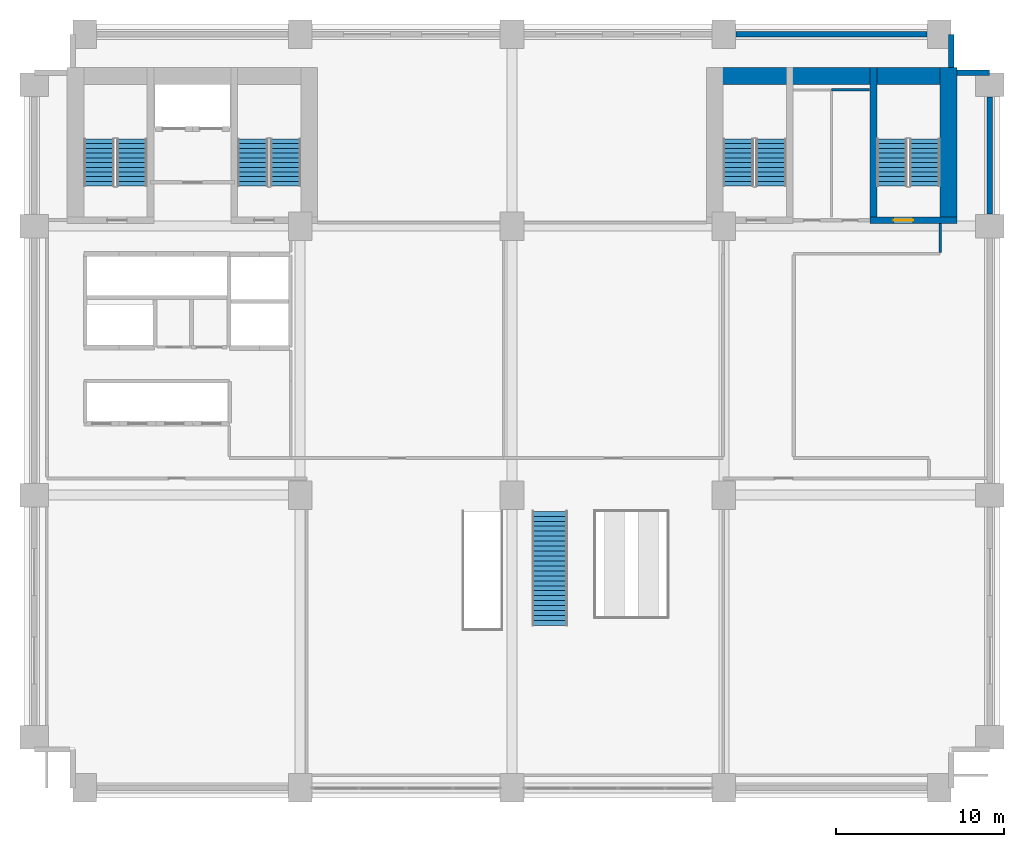
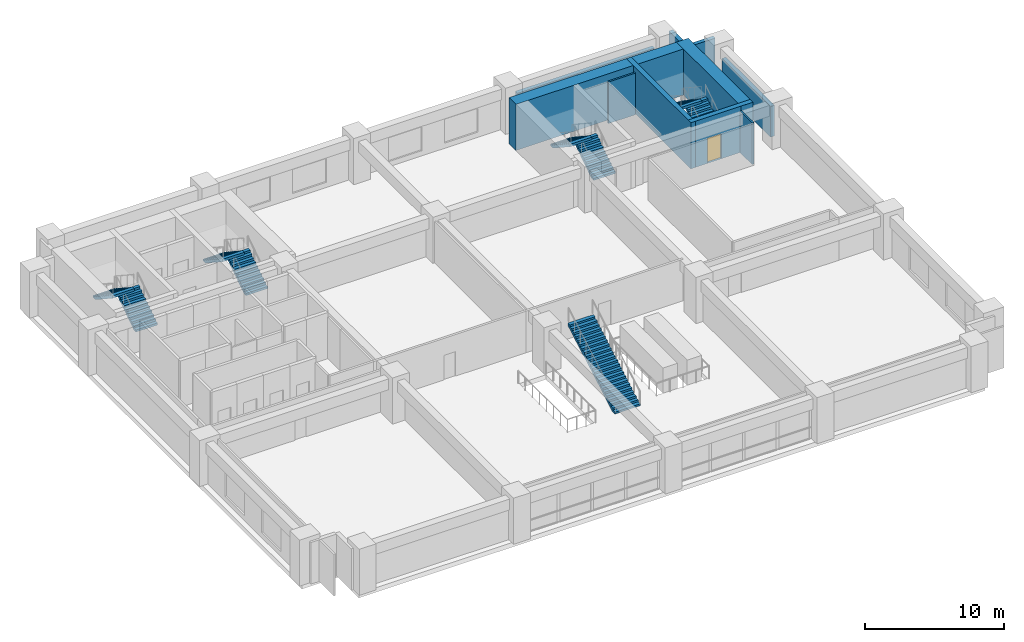
# One storey, part 7 of 11: 10 walls, 9 stair flights, 1 door, 1 opening, 5 elements without a shape of their own.
"""IFC4 building model written with IfcOpenShell, lengths in metres."""

from ifc_helpers import new_model, si_unit, direction, frame, frame_2d, origin, place, context, subcontext, project, spatial, polyline, rectangle, outline, extrude, material, layer, layer_set, type_object, element, fill, aggregate, save


model = new_model("IFC4")

# Units and contexts
model_context = context("Model", 3, precision=1e-05, world=origin(), true_north=direction((0.0, 1.0)))
body_context = subcontext(model_context, "Body", "Model", "MODEL_VIEW")
ifc_project = project(units=[si_unit("LENGTHUNIT", "METRE"), si_unit("AREAUNIT", "SQUARE_METRE"), si_unit("VOLUMEUNIT", "CUBIC_METRE"), si_unit("PLANEANGLEUNIT", "RADIAN"), si_unit("MASSUNIT", "GRAM", prefix="KILO")], contexts=[model_context])

# Site, building, storey
site_placement = place(None, origin())
site = spatial("IfcSite", under=ifc_project, at=site_placement, CompositionType="ELEMENT")
building_placement = place(site_placement, origin())
building = spatial("IfcBuilding", under=site, at=building_placement, Name="Sulina Concourse Tower", CompositionType="ELEMENT")
storey_placement = place(building_placement, frame((0.0, 0.0, 9.449951171875)))
storey = spatial("IfcBuildingStorey", under=building, at=storey_placement, Name="L02", CompositionType="ELEMENT", Elevation=9.449951171875)

# Walls
ifc_material_1 = material(Name="Gypsum board on steel stud", Category="steel")
ifc_layer_1 = layer(ifc_material_1, 0.14990234375)
ifc_layer_set_1 = layer_set([ifc_layer_1], Name="Gypsum board on steel stud")
wall_type_1 = type_object("IfcWallType", Name="Inter-Tenancy Acoustic Partition 150mm", PredefinedType="PARTITIONING", material=ifc_layer_set_1)
wall_1_placement = place(storey_placement, frame((48.0, 42.10009765625, 0.0), z_axis=(0.0, 0.0, 1.0), x_axis=(1.0, 0.0, 0.0)))
element("IfcWall", 1, at=wall_1_placement, inside=storey, type_object=wall_type_1, Name="L02 interior partition 019", PredefinedType="PARTITIONING", context=body_context, shape_type="SweptSolid", body=[
    extrude(rectangle(XDim=2.25, YDim=0.14990234375, at=frame_2d((1.125, 0.0))), origin(), (0.0, 0.0, 1.0), 3.650146484375),
])
wall_2_placement = place(storey_placement, frame((54.449951171875, 32.425048828125, 0.0), z_axis=(0.0, 0.0, 1.0), x_axis=(0.0, 1.0, 0.0)))
element("IfcWall", 2, at=wall_2_placement, inside=storey, type_object=wall_type_1, Name="L02 interior partition 037", PredefinedType="PARTITIONING", context=body_context, shape_type="SweptSolid", body=[
    extrude(rectangle(XDim=1.724853515625, YDim=0.14990234375, at=frame_2d((0.8623046875, 0.0))), origin(), (0.0, 0.0, 1.0), 3.650146484375),
])
ifc_material_2 = material(Name="Precast concrete C50/60", Category="concrete")
ifc_layer_2 = layer(ifc_material_2, 0.320068359375)
ifc_layer_set_2 = layer_set([ifc_layer_2], Name="Precast concrete C50/60")
wall_type_2 = type_object("IfcWallType", Name="Lower Precast Masonry-Frame Facade Wall 320mm", PredefinedType="SOLIDWALL", material=ifc_layer_set_2)
wall_3_placement = place(storey_placement, frame((42.320068359375, 45.39990234375, 0.0), z_axis=(0.0, 0.0, 1.0), x_axis=(1.0, 0.0, 0.0)))
element("IfcWall", 3, at=wall_3_placement, inside=storey, type_object=wall_type_2, Name="L02 exterior precast wall N4", PredefinedType="SOLIDWALL", context=body_context, shape_type="SweptSolid", body=[
    extrude(rectangle(XDim=11.35986328125, YDim=0.320068359375, at=frame_2d((5.679931640625, 0.0))), origin(), (0.0, 0.0, 1.0), 2.699951171875),
])
wall_4_placement = place(storey_placement, frame((57.39990234375, 41.679931640625, 0.0), z_axis=(0.0, 0.0, 1.0), x_axis=(0.0, -1.0, 0.0)))
element("IfcWall", 4, at=wall_4_placement, inside=storey, type_object=wall_type_2, Name="L02 exterior precast wall E3", PredefinedType="SOLIDWALL", context=body_context, shape_type="SweptSolid", body=[
    extrude(rectangle(XDim=6.9599609375, YDim=0.320068359375, at=frame_2d((3.47998046875, 0.0))), origin(), (0.0, 0.0, 1.0), 2.699951171875),
])
wall_5_placement = place(storey_placement, frame((55.1201171875, 45.39990234375, 0.0), z_axis=(0.0, 0.0, 1.0), x_axis=(0.0, -1.0, 0.0)))
element("IfcWall", 5, at=wall_5_placement, inside=storey, type_object=wall_type_2, Name="L02 exterior precast wall CNE1", PredefinedType="SOLIDWALL", context=body_context, shape_type="SweptSolid", body=[
    extrude(rectangle(XDim=1.96484375, YDim=0.320068359375, at=frame_2d((0.982421875, 0.0))), origin(), (0.0, 0.0, 1.0), 3.650146484375),
])
wall_6_placement = place(storey_placement, frame((55.455078125, 43.1201171875, 0.0), z_axis=(0.0, 0.0, 1.0), x_axis=(1.0, 0.0, 0.0)))
element("IfcWall", 6, at=wall_6_placement, inside=storey, type_object=wall_type_2, Name="L02 exterior precast wall CNE2", PredefinedType="SOLIDWALL", context=body_context, shape_type="SweptSolid", body=[
    extrude(rectangle(XDim=1.94482421875, YDim=0.320068359375, at=frame_2d((0.972412109375, 0.0))), origin(), (0.0, 0.0, 1.0), 3.650146484375),
])

# Wall, opening, door
ifc_material_3 = material(Name="Concrete C60/75", Category="concrete")
ifc_layer_3 = layer(ifc_material_3, 0.39990234375)
ifc_layer_set_3 = layer_set([ifc_layer_3], Name="Concrete C60/75")
wall_type_3 = type_object("IfcWallType", Name="Protected Stair Core Shear Wall 400mm", PredefinedType="SHEAR", material=ifc_layer_set_3)
wall_7_placement = place(storey_placement, frame((50.2900390625, 34.35009765625, 0.0), z_axis=(0.0, 0.0, 1.0), x_axis=(1.0, 0.0, 0.0)))
wall_7 = element("IfcWall", 7, at=wall_7_placement, inside=storey, type_object=wall_type_3, Name="L02 east core shear wall CW-ES2", PredefinedType="SHEAR", context=body_context, shape_type="SweptSolid", body=[
    extrude(rectangle(XDim=5.159912109375, YDim=0.39990234375, at=frame_2d((2.580078125, 0.0))), origin(), (0.0, 0.0, 1.0), 4.050048828125),
])
opening_placement = place(wall_7_placement, frame((1.39990234375, 0.0, 0.0)))
opening = element("IfcOpeningElement", 8, at=opening_placement, cuts=wall_7, Name="Opening DR-60", PredefinedType="OPENING", context=body_context, shape_type="SweptSolid", body=[
    extrude(rectangle(XDim=1.14990234375, YDim=2.199951171875, at=frame_2d((0.574951171875, 1.10009765625))), frame((0.0, 0.2099609375, 0.0), z_axis=(0.0, -1.0, 0.0), x_axis=(1.0, 0.0, 0.0)), (0.0, 0.0, 1.0), 0.419921875),
])
ifc_material_4 = material(Name="Galvanised steel acoustic fire leaf", Category="steel")
ifc_layer_4 = layer(ifc_material_4, 0.054931640625)
ifc_layer_set_4 = layer_set([ifc_layer_4], Name="Galvanised steel acoustic fire leaf")
door_type = type_object("IfcDoorType", Name="Protected Exit Stair Fire Door 1150x2200", OperationType="NOTDEFINED", PredefinedType="DOOR", material=ifc_layer_set_4)
door_placement = place(opening_placement, origin())
door = element("IfcDoor", 9, at=door_placement, inside=storey, type_object=door_type, Name="L02 stair ST-4 south lobby fire door", OperationType="SINGLE_SWING_LEFT", OverallHeight=2.199951171875, OverallWidth=1.14990234375, PredefinedType="DOOR", context=body_context, shape_type="SweptSolid", body=[
    extrude(rectangle(XDim=1.14990234375, YDim=2.199951171875, at=frame_2d((0.574951171875, 1.10009765625))), frame((0.0, 0.02490234375, 0.0), z_axis=(0.0, -1.0, 0.0), x_axis=(1.0, 0.0, 0.0)), (0.0, 0.0, 1.0), 0.050048828125),
])
fill(opening, door)

# Walls
wall_8_placement = place(storey_placement, frame((50.489990234375, 34.14990234375, 0.0), z_axis=(0.0, 0.0, 1.0), x_axis=(0.0, 1.0, 0.0)))
element("IfcWall", 10, at=wall_8_placement, inside=storey, type_object=wall_type_3, Name="L02 east core shear wall SW-ST4", PredefinedType="SHEAR", context=body_context, shape_type="SweptSolid", body=[
    extrude(rectangle(XDim=9.280029296875, YDim=0.39990234375, at=frame_2d((4.64013671875, 0.0))), origin(), (0.0, 0.0, 1.0), 4.050048828125),
])
ifc_material_5 = material(Name="Concrete C80/95", Category="concrete")
ifc_layer_5 = layer(ifc_material_5, 1.0)
ifc_layer_set_5 = layer_set([ifc_layer_5], Name="Concrete C80/95")
wall_type_4 = type_object("IfcWallType", Name="Rear Core Shear Wall 1000mm", PredefinedType="SHEAR", material=ifc_layer_set_5)
wall_9_placement = place(storey_placement, frame((40.550048828125, 42.929931640625, 0.0), z_axis=(0.0, 0.0, 1.0), x_axis=(1.0, 0.0, 0.0)))
element("IfcWall", 11, at=wall_9_placement, inside=storey, type_object=wall_type_4, Name="L02 east core shear wall CW-EN", PredefinedType="SHEAR", context=body_context, shape_type="SweptSolid", body=[
    extrude(rectangle(XDim=14.89990234375, YDim=1.0, at=frame_2d((7.449951171875, 0.0))), origin(), (0.0, 0.0, 1.0), 4.050048828125),
])
wall_10_placement = place(storey_placement, frame((54.949951171875, 34.14990234375, 0.0), z_axis=(0.0, 0.0, 1.0), x_axis=(0.0, 1.0, 0.0)))
element("IfcWall", 12, at=wall_10_placement, inside=storey, type_object=wall_type_4, Name="L02 east core shear wall CW-EE", PredefinedType="SHEAR", context=body_context, shape_type="SweptSolid", body=[
    extrude(rectangle(XDim=9.280029296875, YDim=1.0, at=frame_2d((4.64013671875, 0.0))), origin(), (0.0, 0.0, 1.0), 4.050048828125),
])

# Stair, stair flights
ifc_material_6 = material(Name="Concrete C50/60", Category="concrete")
stair_type_1 = type_object("IfcStairType", Name="Portal & Podium Core Exit Stair 1820mm", PredefinedType="HALF_TURN_STAIR", material=ifc_material_6)
stair_1_placement = place(storey_placement, origin())
stair_1 = element("IfcStair", 13, at=stair_1_placement, inside=storey, type_object=stair_type_1, Name="L02 ST-3", PredefinedType="HALF_TURN_STAIR")
ifc_material_7 = material(Name="Concrete C50/60", Category="concrete")
stair_flight_type_1 = type_object("IfcStairFlightType", Name="Portal & Podium Core Exit Stair 1820mm Flight", PredefinedType="STRAIGHT", material=ifc_material_7)
stair_flight_1_placement = place(storey_placement, frame((44.405029296875, 36.375, 0.0), z_axis=(0.0, 0.0, 1.0), x_axis=(0.0, 1.0, 0.0)))
stair_flight_1 = element("IfcStairFlight", 14, at=stair_flight_1_placement, type_object=stair_flight_type_1, Name="ST-3 flight 1", NumberOfRisers=11, NumberOfTreads=10, PredefinedType="STRAIGHT", RiserHeight=0.184090909, TreadLength=0.28, context=body_context, shape_type="SweptSolid", body=[
    extrude(outline(polyline([(0.0, 0.0), (0.0, 0.18408203125), (0.280029296875, 0.18408203125), (0.280029296875, 0.3681640625), (0.56005859375, 0.3681640625), (0.56005859375, 0.55224609375), (0.840087890625, 0.55224609375), (0.840087890625, 0.736328125), (1.1201171875, 0.736328125), (1.1201171875, 0.92041015625), (1.39990234375, 0.92041015625), (1.39990234375, 1.1044921875), (1.679931640625, 1.1044921875), (1.679931640625, 1.28857421875), (1.9599609375, 1.28857421875), (1.9599609375, 1.47265625), (2.239990234375, 1.47265625), (2.239990234375, 1.65673828125), (2.52001953125, 1.65673828125), (2.52001953125, 1.8408203125), (2.800048828125, 1.8408203125), (2.800048828125, 2.02490234375), (2.800048828125, 1.62548828125), (0.32763671875, 0.0), (0.0, 0.0)])), frame((0.0, 0.89990234375, 0.0), z_axis=(0.0, -1.0, 0.0), x_axis=(1.0, 0.0, 0.0)), (0.0, 0.0, 1.0), 1.800048828125),
])
stair_flight_2_placement = place(storey_placement, frame((42.455078125, 39.175048828125, 2.025146484375), z_axis=(0.0, 0.0, 1.0), x_axis=(0.0, -1.0, 0.0)))
stair_flight_2 = element("IfcStairFlight", 15, at=stair_flight_2_placement, type_object=stair_flight_type_1, Name="ST-3 flight 2", NumberOfRisers=11, NumberOfTreads=10, PredefinedType="STRAIGHT", RiserHeight=0.184090909, TreadLength=0.28, context=body_context, shape_type="SweptSolid", body=[
    extrude(outline(polyline([(0.0, 0.0), (0.0, 0.18408203125), (0.280029296875, 0.18408203125), (0.280029296875, 0.3681640625), (0.56005859375, 0.3681640625), (0.56005859375, 0.55224609375), (0.840087890625, 0.55224609375), (0.840087890625, 0.736328125), (1.1201171875, 0.736328125), (1.1201171875, 0.92041015625), (1.39990234375, 0.92041015625), (1.39990234375, 1.1044921875), (1.679931640625, 1.1044921875), (1.679931640625, 1.28857421875), (1.9599609375, 1.28857421875), (1.9599609375, 1.47265625), (2.239990234375, 1.47265625), (2.239990234375, 1.65673828125), (2.52001953125, 1.65673828125), (2.52001953125, 1.8408203125), (2.800048828125, 1.8408203125), (2.800048828125, 2.02490234375), (2.800048828125, 1.62548828125), (0.32763671875, 0.0), (0.0, 0.0)])), frame((0.0, 0.89990234375, 0.0), z_axis=(0.0, -1.0, 0.0), x_axis=(1.0, 0.0, 0.0)), (0.0, 0.0, 1.0), 1.800048828125),
])
aggregate(stair_1, [stair_flight_1, stair_flight_2])

stair_2_placement = place(storey_placement, origin())
stair_2 = element("IfcStair", 16, at=stair_2_placement, inside=storey, type_object=stair_type_1, Name="L02 ST-4", PredefinedType="HALF_TURN_STAIR")
stair_flight_3_placement = place(storey_placement, frame((53.544921875, 36.375, 0.0), z_axis=(0.0, 0.0, 1.0), x_axis=(0.0, 1.0, 0.0)))
stair_flight_3 = element("IfcStairFlight", 17, at=stair_flight_3_placement, type_object=stair_flight_type_1, Name="ST-4 flight 1", NumberOfRisers=11, NumberOfTreads=10, PredefinedType="STRAIGHT", RiserHeight=0.184090909, TreadLength=0.28, context=body_context, shape_type="SweptSolid", body=[
    extrude(outline(polyline([(0.0, 0.0), (0.0, 0.18408203125), (0.280029296875, 0.18408203125), (0.280029296875, 0.3681640625), (0.56005859375, 0.3681640625), (0.56005859375, 0.55224609375), (0.840087890625, 0.55224609375), (0.840087890625, 0.736328125), (1.1201171875, 0.736328125), (1.1201171875, 0.92041015625), (1.39990234375, 0.92041015625), (1.39990234375, 1.1044921875), (1.679931640625, 1.1044921875), (1.679931640625, 1.28857421875), (1.9599609375, 1.28857421875), (1.9599609375, 1.47265625), (2.239990234375, 1.47265625), (2.239990234375, 1.65673828125), (2.52001953125, 1.65673828125), (2.52001953125, 1.8408203125), (2.800048828125, 1.8408203125), (2.800048828125, 2.02490234375), (2.800048828125, 1.62548828125), (0.32763671875, 0.0), (0.0, 0.0)])), frame((0.0, 0.89990234375, 0.0), z_axis=(0.0, -1.0, 0.0), x_axis=(1.0, 0.0, 0.0)), (0.0, 0.0, 1.0), 1.800048828125),
])
stair_flight_4_placement = place(storey_placement, frame((51.594970703125, 39.175048828125, 2.025146484375), z_axis=(0.0, 0.0, 1.0), x_axis=(0.0, -1.0, 0.0)))
stair_flight_4 = element("IfcStairFlight", 18, at=stair_flight_4_placement, type_object=stair_flight_type_1, Name="ST-4 flight 2", NumberOfRisers=11, NumberOfTreads=10, PredefinedType="STRAIGHT", RiserHeight=0.184090909, TreadLength=0.28, context=body_context, shape_type="SweptSolid", body=[
    extrude(outline(polyline([(0.0, 0.0), (0.0, 0.18408203125), (0.280029296875, 0.18408203125), (0.280029296875, 0.3681640625), (0.56005859375, 0.3681640625), (0.56005859375, 0.55224609375), (0.840087890625, 0.55224609375), (0.840087890625, 0.736328125), (1.1201171875, 0.736328125), (1.1201171875, 0.92041015625), (1.39990234375, 0.92041015625), (1.39990234375, 1.1044921875), (1.679931640625, 1.1044921875), (1.679931640625, 1.28857421875), (1.9599609375, 1.28857421875), (1.9599609375, 1.47265625), (2.239990234375, 1.47265625), (2.239990234375, 1.65673828125), (2.52001953125, 1.65673828125), (2.52001953125, 1.8408203125), (2.800048828125, 1.8408203125), (2.800048828125, 2.02490234375), (2.800048828125, 1.62548828125), (0.32763671875, 0.0), (0.0, 0.0)])), frame((0.0, 0.89990234375, 0.0), z_axis=(0.0, -1.0, 0.0), x_axis=(1.0, 0.0, 0.0)), (0.0, 0.0, 1.0), 1.800048828125),
])
aggregate(stair_2, [stair_flight_3, stair_flight_4])

ifc_material_8 = material(Name="Concrete C50/60", Category="concrete")
stair_type_2 = type_object("IfcStairType", Name="Primary Core Dog-Leg Exit Stair 1800mm", PredefinedType="HALF_TURN_STAIR", material=ifc_material_8)
stair_3_placement = place(storey_placement, origin())
stair_3 = element("IfcStair", 19, at=stair_3_placement, inside=storey, type_object=stair_type_2, Name="L02 ST-1", PredefinedType="HALF_TURN_STAIR")
ifc_material_9 = material(Name="Concrete C50/60", Category="concrete")
stair_flight_type_2 = type_object("IfcStairFlightType", Name="Primary Core Dog-Leg Exit Stair 1800mm Flight", PredefinedType="STRAIGHT", material=ifc_material_9)
stair_flight_5_placement = place(storey_placement, frame((6.405029296875, 36.375, 0.0), z_axis=(0.0, 0.0, 1.0), x_axis=(0.0, 1.0, 0.0)))
stair_flight_5 = element("IfcStairFlight", 20, at=stair_flight_5_placement, type_object=stair_flight_type_2, Name="ST-1 flight 1", NumberOfRisers=11, NumberOfTreads=10, PredefinedType="STRAIGHT", RiserHeight=0.184090909, TreadLength=0.28, context=body_context, shape_type="SweptSolid", body=[
    extrude(outline(polyline([(0.0, 0.0), (0.0, 0.18408203125), (0.280029296875, 0.18408203125), (0.280029296875, 0.3681640625), (0.56005859375, 0.3681640625), (0.56005859375, 0.55224609375), (0.840087890625, 0.55224609375), (0.840087890625, 0.736328125), (1.1201171875, 0.736328125), (1.1201171875, 0.92041015625), (1.39990234375, 0.92041015625), (1.39990234375, 1.1044921875), (1.679931640625, 1.1044921875), (1.679931640625, 1.28857421875), (1.9599609375, 1.28857421875), (1.9599609375, 1.47265625), (2.239990234375, 1.47265625), (2.239990234375, 1.65673828125), (2.52001953125, 1.65673828125), (2.52001953125, 1.8408203125), (2.800048828125, 1.8408203125), (2.800048828125, 2.02490234375), (2.800048828125, 1.62548828125), (0.32763671875, 0.0), (0.0, 0.0)])), frame((0.0, 0.89990234375, 0.0), z_axis=(0.0, -1.0, 0.0), x_axis=(1.0, 0.0, 0.0)), (0.0, 0.0, 1.0), 1.800048828125),
])
stair_flight_6_placement = place(storey_placement, frame((4.455078125, 39.175048828125, 2.025146484375), z_axis=(0.0, 0.0, 1.0), x_axis=(0.0, -1.0, 0.0)))
stair_flight_6 = element("IfcStairFlight", 21, at=stair_flight_6_placement, type_object=stair_flight_type_2, Name="ST-1 flight 2", NumberOfRisers=11, NumberOfTreads=10, PredefinedType="STRAIGHT", RiserHeight=0.184090909, TreadLength=0.28, context=body_context, shape_type="SweptSolid", body=[
    extrude(outline(polyline([(0.0, 0.0), (0.0, 0.18408203125), (0.280029296875, 0.18408203125), (0.280029296875, 0.3681640625), (0.56005859375, 0.3681640625), (0.56005859375, 0.55224609375), (0.840087890625, 0.55224609375), (0.840087890625, 0.736328125), (1.1201171875, 0.736328125), (1.1201171875, 0.92041015625), (1.39990234375, 0.92041015625), (1.39990234375, 1.1044921875), (1.679931640625, 1.1044921875), (1.679931640625, 1.28857421875), (1.9599609375, 1.28857421875), (1.9599609375, 1.47265625), (2.239990234375, 1.47265625), (2.239990234375, 1.65673828125), (2.52001953125, 1.65673828125), (2.52001953125, 1.8408203125), (2.800048828125, 1.8408203125), (2.800048828125, 2.02490234375), (2.800048828125, 1.62548828125), (0.32763671875, 0.0), (0.0, 0.0)])), frame((0.0, 0.89990234375, 0.0), z_axis=(0.0, -1.0, 0.0), x_axis=(1.0, 0.0, 0.0)), (0.0, 0.0, 1.0), 1.800048828125),
])
aggregate(stair_3, [stair_flight_5, stair_flight_6])

stair_4_placement = place(storey_placement, origin())
stair_4 = element("IfcStair", 22, at=stair_4_placement, inside=storey, type_object=stair_type_2, Name="L02 ST-2", PredefinedType="HALF_TURN_STAIR")
stair_flight_7_placement = place(storey_placement, frame((15.544921875, 36.375, 0.0), z_axis=(0.0, 0.0, 1.0), x_axis=(0.0, 1.0, 0.0)))
stair_flight_7 = element("IfcStairFlight", 23, at=stair_flight_7_placement, type_object=stair_flight_type_2, Name="ST-2 flight 1", NumberOfRisers=11, NumberOfTreads=10, PredefinedType="STRAIGHT", RiserHeight=0.184090909, TreadLength=0.28, context=body_context, shape_type="SweptSolid", body=[
    extrude(outline(polyline([(0.0, 0.0), (0.0, 0.18408203125), (0.280029296875, 0.18408203125), (0.280029296875, 0.3681640625), (0.56005859375, 0.3681640625), (0.56005859375, 0.55224609375), (0.840087890625, 0.55224609375), (0.840087890625, 0.736328125), (1.1201171875, 0.736328125), (1.1201171875, 0.92041015625), (1.39990234375, 0.92041015625), (1.39990234375, 1.1044921875), (1.679931640625, 1.1044921875), (1.679931640625, 1.28857421875), (1.9599609375, 1.28857421875), (1.9599609375, 1.47265625), (2.239990234375, 1.47265625), (2.239990234375, 1.65673828125), (2.52001953125, 1.65673828125), (2.52001953125, 1.8408203125), (2.800048828125, 1.8408203125), (2.800048828125, 2.02490234375), (2.800048828125, 1.62548828125), (0.32763671875, 0.0), (0.0, 0.0)])), frame((0.0, 0.89990234375, 0.0), z_axis=(0.0, -1.0, 0.0), x_axis=(1.0, 0.0, 0.0)), (0.0, 0.0, 1.0), 1.800048828125),
])
stair_flight_8_placement = place(storey_placement, frame((13.594970703125, 39.175048828125, 2.025146484375), z_axis=(0.0, 0.0, 1.0), x_axis=(0.0, -1.0, 0.0)))
stair_flight_8 = element("IfcStairFlight", 24, at=stair_flight_8_placement, type_object=stair_flight_type_2, Name="ST-2 flight 2", NumberOfRisers=11, NumberOfTreads=10, PredefinedType="STRAIGHT", RiserHeight=0.184090909, TreadLength=0.28, context=body_context, shape_type="SweptSolid", body=[
    extrude(outline(polyline([(0.0, 0.0), (0.0, 0.18408203125), (0.280029296875, 0.18408203125), (0.280029296875, 0.3681640625), (0.56005859375, 0.3681640625), (0.56005859375, 0.55224609375), (0.840087890625, 0.55224609375), (0.840087890625, 0.736328125), (1.1201171875, 0.736328125), (1.1201171875, 0.92041015625), (1.39990234375, 0.92041015625), (1.39990234375, 1.1044921875), (1.679931640625, 1.1044921875), (1.679931640625, 1.28857421875), (1.9599609375, 1.28857421875), (1.9599609375, 1.47265625), (2.239990234375, 1.47265625), (2.239990234375, 1.65673828125), (2.52001953125, 1.65673828125), (2.52001953125, 1.8408203125), (2.800048828125, 1.8408203125), (2.800048828125, 2.02490234375), (2.800048828125, 1.62548828125), (0.32763671875, 0.0), (0.0, 0.0)])), frame((0.0, 0.89990234375, 0.0), z_axis=(0.0, -1.0, 0.0), x_axis=(1.0, 0.0, 0.0)), (0.0, 0.0, 1.0), 1.800048828125),
])
aggregate(stair_4, [stair_flight_7, stair_flight_8])

# Stair, stair flight
ifc_material_10 = material(Name="Concrete C50/60", Category="concrete")
stair_type_3 = type_object("IfcStairType", Name="Station Concourse Feature Stair 2100mm", PredefinedType="HALF_TURN_STAIR", material=ifc_material_10)
stair_5_placement = place(storey_placement, origin())
stair_5 = element("IfcStair", 25, at=stair_5_placement, inside=storey, type_object=stair_type_3, Name="L02 station concourse feature stair ST-CONC-3", PredefinedType="HALF_TURN_STAIR")
ifc_material_11 = material(Name="Concrete C50/60", Category="concrete")
stair_flight_type_3 = type_object("IfcStairFlightType", Name="Station Concourse Feature Stair 2100mm Flight", PredefinedType="STRAIGHT", material=ifc_material_11)
stair_flight_9_placement = place(storey_placement, frame((31.25, 10.2548828125, 0.0), z_axis=(0.0, 0.0, 1.0), x_axis=(0.0, 1.0, 0.0)))
stair_flight_9 = element("IfcStairFlight", 26, at=stair_flight_9_placement, type_object=stair_flight_type_3, Name="ST-T3 flight 1", NumberOfRisers=24, NumberOfTreads=23, PredefinedType="STRAIGHT", RiserHeight=0.16875, TreadLength=0.295, context=body_context, shape_type="SweptSolid", body=[
    extrude(outline(polyline([(0.0, 0.0), (0.0, 0.168701171875), (0.294921875, 0.168701171875), (0.294921875, 0.33740234375), (0.590087890625, 0.33740234375), (0.590087890625, 0.50634765625), (0.885009765625, 0.50634765625), (0.885009765625, 0.675048828125), (1.179931640625, 0.675048828125), (1.179931640625, 0.84375), (1.47509765625, 0.84375), (1.47509765625, 1.012451171875), (1.77001953125, 1.012451171875), (1.77001953125, 1.18115234375), (2.06494140625, 1.18115234375), (2.06494140625, 1.35009765625), (2.360107421875, 1.35009765625), (2.360107421875, 1.518798828125), (2.655029296875, 1.518798828125), (2.655029296875, 1.6875), (2.949951171875, 1.6875), (2.949951171875, 1.856201171875), (3.2451171875, 1.856201171875), (3.2451171875, 2.02490234375), (3.5400390625, 2.02490234375), (3.5400390625, 2.19384765625), (3.8349609375, 2.19384765625), (3.8349609375, 2.362548828125), (4.1298828125, 2.362548828125), (4.1298828125, 2.53125), (4.425048828125, 2.53125), (4.425048828125, 2.699951171875), (4.719970703125, 2.699951171875), (4.719970703125, 2.86865234375), (5.014892578125, 2.86865234375), (5.014892578125, 3.03759765625), (5.31005859375, 3.03759765625), (5.31005859375, 3.206298828125), (5.60498046875, 3.206298828125), (5.60498046875, 3.375), (5.89990234375, 3.375), (5.89990234375, 3.543701171875), (6.195068359375, 3.543701171875), (6.195068359375, 3.71240234375), (6.489990234375, 3.71240234375), (6.489990234375, 3.88134765625), (6.784912109375, 3.88134765625), (6.784912109375, 4.050048828125), (6.784912109375, 3.65087890625), (0.402587890625, 0.0), (0.0, 0.0)])), frame((0.0, 1.050048828125, 0.0), z_axis=(0.0, -1.0, 0.0), x_axis=(1.0, 0.0, 0.0)), (0.0, 0.0, 1.0), 2.10009765625),
])
aggregate(stair_5, [stair_flight_9])

save(model, "model.ifc")
